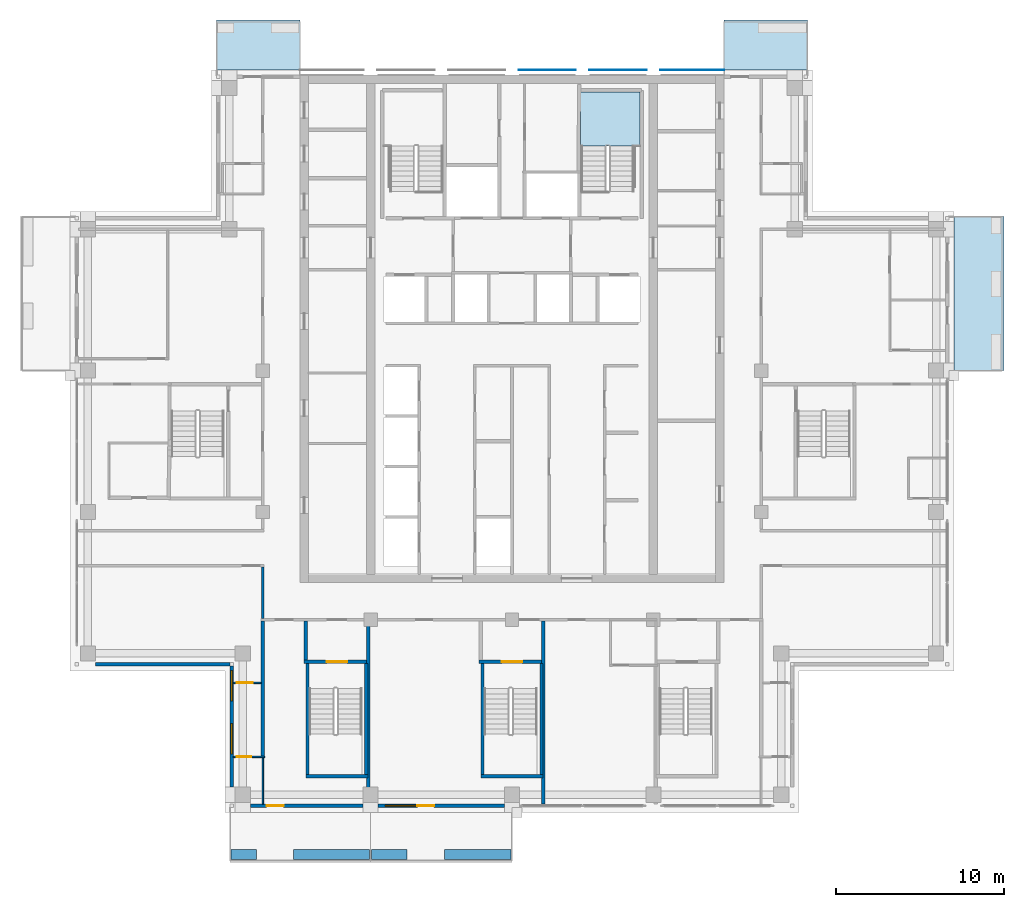
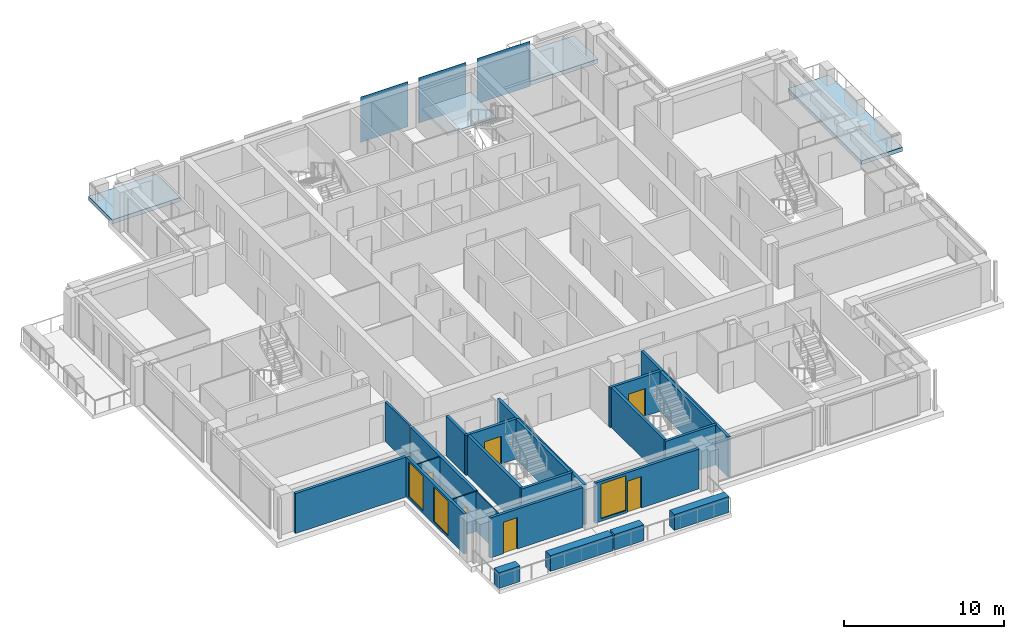
# One storey, part 6 of 15: 24 walls, 6 doors, 4 slabs, 3 plates, 3 windows, 9 openings, 1 element without a shape of its own.
"""IFC4 building model written with IfcOpenShell, lengths in metres."""

from ifc_helpers import new_model, si_unit, direction, frame, frame_2d, origin, origin_2d, place, context, subcontext, project, spatial, polyline, rectangle, outline, extrude, material, layer, layer_set, type_object, element, fill, aggregate, save


model = new_model("IFC4")

# Units and contexts
model_context = context("Model", 3, precision=1e-05, world=origin(), true_north=direction((0.0, 1.0)))
body_context = subcontext(model_context, "Body", "Model", "MODEL_VIEW")
ifc_project = project(units=[si_unit("LENGTHUNIT", "METRE"), si_unit("AREAUNIT", "SQUARE_METRE"), si_unit("VOLUMEUNIT", "CUBIC_METRE"), si_unit("PLANEANGLEUNIT", "RADIAN"), si_unit("MASSUNIT", "GRAM", prefix="KILO")], contexts=[model_context])

# Site, building, storey
site_placement = place(None, origin())
site = spatial("IfcSite", under=ifc_project, at=site_placement, CompositionType="ELEMENT")
building_placement = place(site_placement, origin())
building = spatial("IfcBuilding", under=site, at=building_placement, Name="Vermilion Ogive Tower", CompositionType="ELEMENT")
storey_placement = place(building_placement, frame((0.0, 0.0, 237.25)))
storey = spatial("IfcBuildingStorey", under=building, at=storey_placement, Name="L62", CompositionType="ELEMENT", Elevation=237.25)

# Slabs
ifc_material_1 = material(Name="Concrete B40", Category="concrete")
ifc_layer_1 = layer(ifc_material_1, 0.300048828125)
ifc_layer_set_1 = layer_set([ifc_layer_1], Name="Balcony slab")
slab_type_1 = type_object("IfcSlabType", Name="Balcony slab", PredefinedType="FLOOR", material=ifc_layer_set_1)
slab_1_placement = place(storey_placement, frame((0.0, 0.0, -0.340087890625)))
element("IfcSlab", 1, at=slab_1_placement, inside=storey, type_object=slab_type_1, Name="Balcony slab E03", PredefinedType="FLOOR", context=body_context, shape_type="SweptSolid", body=[
    extrude(outline(polyline([(29.22998046875, 4.199951171875), (29.22998046875, 13.35009765625), (26.25, 13.35009765625), (26.25, 4.199951171875), (29.22998046875, 4.199951171875)])), origin(), (0.0, 0.0, 1.0), 0.300048828125),
])
slab_2_placement = place(storey_placement, frame((0.0, 0.0, -0.340087890625)))
element("IfcSlab", 2, at=slab_2_placement, inside=storey, type_object=slab_type_1, Name="Balcony slab N101", PredefinedType="FLOOR", context=body_context, shape_type="SweptSolid", body=[
    extrude(outline(polyline([(17.550048828125, 25.030029296875), (12.60009765625, 25.030029296875), (12.60009765625, 22.050048828125), (17.550048828125, 22.050048828125), (17.550048828125, 25.030029296875)])), origin(), (0.0, 0.0, 1.0), 0.300048828125),
])
slab_3_placement = place(storey_placement, frame((0.0, 0.0, -0.340087890625)))
element("IfcSlab", 3, at=slab_3_placement, inside=storey, type_object=slab_type_1, Name="Balcony slab N201", PredefinedType="FLOOR", context=body_context, shape_type="SweptSolid", body=[
    extrude(outline(polyline([(-12.60009765625, 25.030029296875), (-17.550048828125, 25.030029296875), (-17.550048828125, 22.050048828125), (-12.60009765625, 22.050048828125), (-12.60009765625, 25.030029296875)])), origin(), (0.0, 0.0, 1.0), 0.300048828125),
])

# Plates
ifc_material_2 = material(Name="Low-iron laminated glazing in aluminium frame", Category="aluminium")
ifc_layer_2 = layer(ifc_material_2, 0.031982421875)
ifc_layer_set_2 = layer_set([ifc_layer_2], Name="Glazed rainscreen sheet 32")
plate_type = type_object("IfcPlateType", Name="Glazed rainscreen sheet 32", PredefinedType="SHEET", material=ifc_layer_set_2)
for number, where, z_axis, x_axis, name in (
    (4, (2.10009765625, 22.06591796875, -0.39990234375), (0.0, 0.0, 1.0), (1.0, 0.0, 0.0), "Glazed rainscreen sheet N4"),
    (5, (6.300048828125, 22.06591796875, -0.39990234375), (0.0, 0.0, 1.0), (1.0, 0.0, 0.0), "Glazed rainscreen sheet N5"),
):
    element("IfcPlate", number, at=place(storey_placement, frame(where, z_axis=z_axis, x_axis=x_axis)), inside=storey, type_object=plate_type, Name=name, PredefinedType="SHEET", context=body_context, shape_type="SweptSolid", body=[
        extrude(rectangle(XDim=3.39990234375, YDim=0.031982421875, at=origin_2d()), origin(), (0.0, 0.0, 1.0), 3.449951171875),
    ])
plate_placement = place(storey_placement, frame((10.7099609375, 22.06591796875, -0.39990234375), z_axis=(0.0, 0.0, 1.0), x_axis=(1.0, 0.0, 0.0)))
element("IfcPlate", 6, at=plate_placement, inside=storey, type_object=plate_type, Name="Glazed rainscreen sheet N6", PredefinedType="SHEET", context=body_context, shape_type="SweptSolid", body=[
    extrude(rectangle(XDim=3.820068359375, YDim=0.031982421875, at=origin_2d()), origin(), (0.0, 0.0, 1.0), 3.449951171875),
])

# Stair, slab
ifc_material_3 = material(Name="Concrete B40", Category="concrete")
stair_type = type_object("IfcStairType", Name="Exit stair 1500", PredefinedType="HALF_TURN_STAIR", material=ifc_material_3)
stair_placement = place(storey_placement, origin())
stair = element("IfcStair", 7, at=stair_placement, inside=storey, type_object=stair_type, Name="L62 Exit Stair ST2", PredefinedType="HALF_TURN_STAIR")
ifc_material_4 = material(Name="Concrete B40", Category="concrete")
ifc_layer_3 = layer(ifc_material_4, 0.199951171875)
ifc_layer_set_3 = layer_set([ifc_layer_3], Name="Stair landing 200")
slab_type_2 = type_object("IfcSlabType", Name="Stair landing 200", PredefinedType="LANDING", material=ifc_layer_set_3)
slab_4_placement = place(storey_placement, frame((0.0, 0.0, 1.52490234375)))
slab_4 = element("IfcSlab", 8, at=slab_4_placement, type_object=slab_type_2, Name="ST2 landing 1", PredefinedType="LANDING", context=body_context, shape_type="SweptSolid", body=[
    extrude(outline(polyline([(5.60009765625, 17.550048828125), (5.75, 17.550048828125), (5.75, 17.548095703125), (7.25, 17.548095703125), (7.25, 17.550048828125), (7.60009765625, 17.550048828125), (7.60009765625, 20.75), (4.074951171875, 20.75), (4.074951171875, 17.550048828125), (4.10009765625, 17.550048828125), (4.10009765625, 17.548095703125), (5.60009765625, 17.548095703125), (5.60009765625, 17.550048828125)])), origin(), (0.0, 0.0, 1.0), 0.2001953125),
])
aggregate(stair, [slab_4])

# Wall, opening, door
ifc_material_5 = material(Name="Gypsum board partition on steel studs", Category="steel")
ifc_layer_4 = layer(ifc_material_5, 0.10009765625)
ifc_layer_set_4 = layer_set([ifc_layer_4], Name="Partition 100 bath")
wall_type_1 = type_object("IfcWallType", Name="Partition 100 bath", PredefinedType="PARTITIONING", material=ifc_layer_set_4)
wall_1_placement = place(storey_placement, frame((-16.550048828125, -18.75, 0.0), z_axis=(0.0, 0.0, 1.0), x_axis=(1.0, 0.0, 0.0)))
wall_1 = element("IfcWall", 9, at=wall_1_placement, inside=storey, type_object=wall_type_1, Name="L62-W-W004", PredefinedType="PARTITIONING", context=body_context, shape_type="SweptSolid", body=[
    extrude(rectangle(XDim=1.85009765625, YDim=0.10009765625, at=frame_2d((0.925048828125, 0.0))), origin(), (0.0, 0.0, 1.0), 3.050048828125),
])
opening_1_placement = place(wall_1_placement, frame((0.199951171875, 0.0, 0.0)))
opening_1 = element("IfcOpeningElement", 10, at=opening_1_placement, cuts=wall_1, Name="Opening D5G2003", PredefinedType="OPENING", context=body_context, shape_type="SweptSolid", body=[
    extrude(rectangle(XDim=0.85009765625, YDim=2.10009765625, at=frame_2d((0.425048828125, 1.050048828125))), frame((0.0, 0.06005859375, 0.0), z_axis=(0.0, -1.0, 0.0), x_axis=(1.0, 0.0, 0.0)), (0.0, 0.0, 1.0), 0.1201171875),
])
ifc_material_6 = material(Name="Timber door leaf", Category="wood")
door_type_1 = type_object("IfcDoorType", Name="Bath door 850 x 2100 FD30", OperationType="SINGLE_SWING_LEFT", PredefinedType="DOOR", material=ifc_material_6)
door_1_placement = place(opening_1_placement, origin())
door_1 = element("IfcDoor", 11, at=door_1_placement, inside=storey, type_object=door_type_1, Name="L62-D-D003", OperationType="SINGLE_SWING_RIGHT", OverallHeight=2.10009765625, OverallWidth=0.85009765625, PredefinedType="DOOR", context=body_context, shape_type="SweptSolid", body=[
    extrude(rectangle(XDim=0.85009765625, YDim=2.10009765625, at=frame_2d((0.425048828125, 1.050048828125))), frame((0.0, 0.02490234375, 0.0), z_axis=(0.0, -1.0, 0.0), x_axis=(1.0, 0.0, 0.0)), (0.0, 0.0, 1.0), 0.050048828125),
])
fill(opening_1, door_1)

# Wall
wall_2_placement = place(storey_placement, frame((-14.800048828125, -21.550048828125, 0.0), z_axis=(0.0, 0.0, 1.0), x_axis=(0.0, 1.0, 0.0)))
element("IfcWall", 12, at=wall_2_placement, inside=storey, type_object=wall_type_1, Name="L62-W-W046", PredefinedType="PARTITIONING", context=body_context, shape_type="SweptSolid", body=[
    extrude(rectangle(XDim=2.75, YDim=0.10009765625, at=frame_2d((1.375, 0.0))), origin(), (0.0, 0.0, 1.0), 3.050048828125),
])

# Wall, opening, door
ifc_material_7 = material(Name="Gypsum board partition on steel studs", Category="steel")
ifc_layer_5 = layer(ifc_material_7, 0.10009765625)
ifc_layer_set_5 = layer_set([ifc_layer_5], Name="Partition 100 inner")
wall_type_2 = type_object("IfcWallType", Name="Partition 100 inner", PredefinedType="PARTITIONING", material=ifc_layer_set_5)
wall_3_placement = place(storey_placement, frame((-16.550048828125, -14.349853515625, 0.0), z_axis=(0.0, 0.0, 1.0), x_axis=(1.0, 0.0, 0.0)))
wall_3 = element("IfcWall", 13, at=wall_3_placement, inside=storey, type_object=wall_type_2, Name="L62-W-W006", PredefinedType="PARTITIONING", context=body_context, shape_type="SweptSolid", body=[
    extrude(rectangle(XDim=1.650146484375, YDim=0.10009765625, at=frame_2d((0.8251953125, 0.0))), origin(), (0.0, 0.0, 1.0), 3.050048828125),
])
opening_2_placement = place(wall_3_placement, frame((0.199951171875, 0.0, 0.0)))
opening_2 = element("IfcOpeningElement", 14, at=opening_2_placement, cuts=wall_3, Name="Opening D5G2002", PredefinedType="OPENING", context=body_context, shape_type="SweptSolid", body=[
    extrude(rectangle(XDim=0.949951171875, YDim=2.10009765625, at=frame_2d((0.47509765625, 1.050048828125))), frame((0.0, 0.06005859375, 0.0), z_axis=(0.0, -1.0, 0.0), x_axis=(1.0, 0.0, 0.0)), (0.0, 0.0, 1.0), 0.1201171875),
])
ifc_material_8 = material(Name="Timber door leaf", Category="wood")
door_type_2 = type_object("IfcDoorType", Name="Inner door 950 x 2100 FD30", OperationType="SINGLE_SWING_LEFT", PredefinedType="DOOR", material=ifc_material_8)
door_2_placement = place(opening_2_placement, origin())
door_2 = element("IfcDoor", 15, at=door_2_placement, inside=storey, type_object=door_type_2, Name="L62-D-D002", OperationType="SINGLE_SWING_RIGHT", OverallHeight=2.10009765625, OverallWidth=0.949951171875, PredefinedType="DOOR", context=body_context, shape_type="SweptSolid", body=[
    extrude(rectangle(XDim=0.949951171875, YDim=2.10009765625, at=frame_2d((0.47509765625, 1.050048828125))), frame((0.0, 0.02490234375, 0.0), z_axis=(0.0, -1.0, 0.0), x_axis=(1.0, 0.0, 0.0)), (0.0, 0.0, 1.0), 0.050048828125),
])
fill(opening_2, door_2)

# Walls
ifc_material_9 = material(Name="Gypsum board partition on steel studs", Category="steel")
ifc_layer_6 = layer(ifc_material_9, 0.14990234375)
ifc_layer_set_6 = layer_set([ifc_layer_6], Name="Partition 150 corridor")
wall_type_3 = type_object("IfcWallType", Name="Partition 150 corridor", PredefinedType="PARTITIONING", material=ifc_layer_set_6)
wall_4_placement = place(storey_placement, frame((-14.800048828125, -10.52490234375, 0.0), z_axis=(0.0, 0.0, 1.0), x_axis=(0.0, 1.0, 0.0)))
element("IfcWall", 16, at=wall_4_placement, inside=storey, type_object=wall_type_3, Name="L62-W-W048", PredefinedType="PARTITIONING", context=body_context, shape_type="SweptSolid", body=[
    extrude(rectangle(XDim=3.0498046875, YDim=0.14990234375, at=frame_2d((1.52490234375, 0.0))), origin(), (0.0, 0.0, 1.0), 3.050048828125),
])
ifc_material_10 = material(Name="Gypsum board partition on steel studs", Category="steel")
ifc_layer_7 = layer(ifc_material_10, 0.199951171875)
ifc_layer_set_7 = layer_set([ifc_layer_7], Name="Partition 200 party")
wall_type_4 = type_object("IfcWallType", Name="Partition 200 party", PredefinedType="PARTITIONING", material=ifc_layer_set_7)
wall_5_placement = place(storey_placement, frame((-14.800048828125, -18.699951171875, 0.0), z_axis=(0.0, 0.0, 1.0), x_axis=(0.0, 1.0, 0.0)))
element("IfcWall", 17, at=wall_5_placement, inside=storey, type_object=wall_type_4, Name="L62-W-W047", PredefinedType="PARTITIONING", context=body_context, shape_type="SweptSolid", body=[
    extrude(rectangle(XDim=8.02490234375, YDim=0.199951171875, at=frame_2d((4.012451171875, 0.0))), origin(), (0.0, 0.0, 1.0), 3.050048828125),
])
wall_6_placement = place(storey_placement, frame((-12.25, -12.998046875, 0.0), z_axis=(0.0, 0.0, 1.0), x_axis=(0.0, 1.0, 0.0)))
element("IfcWall", 18, at=wall_6_placement, inside=storey, type_object=wall_type_4, Name="L62-W-W052", PredefinedType="PARTITIONING", context=body_context, shape_type="SweptSolid", body=[
    extrude(rectangle(XDim=2.322998046875, YDim=0.199951171875, at=frame_2d((1.16162109375, 0.0))), origin(), (0.0, 0.0, 1.0), 3.050048828125),
])
ifc_material_11 = material(Name="Concrete B60", Category="concrete")
ifc_layer_8 = layer(ifc_material_11, 0.199951171875)
ifc_layer_set_8 = layer_set([ifc_layer_8], Name="Stair shaft wall 200 Concrete B60")
wall_type_5 = type_object("IfcWallType", Name="Stair shaft wall 200 Concrete B60", PredefinedType="SOLIDWALL", material=ifc_layer_set_8)
wall_7_placement = place(storey_placement, frame((-12.248046875, -19.89990234375, 0.0), z_axis=(0.0, 0.0, 1.0), x_axis=(1.0, 0.0, 0.0)))
element("IfcWall", 19, at=wall_7_placement, inside=storey, type_object=wall_type_5, Name="L62-W-W001", PredefinedType="SOLIDWALL", context=body_context, shape_type="SweptSolid", body=[
    extrude(rectangle(XDim=3.696044921875, YDim=0.199951171875, at=frame_2d((1.84814453125, 0.0))), origin(), (0.0, 0.0, 1.0), 3.050048828125),
])
wall_8_placement = place(storey_placement, frame((-1.847900390625, -19.89990234375, 0.0), z_axis=(0.0, 0.0, 1.0), x_axis=(1.0, 0.0, 0.0)))
element("IfcWall", 20, at=wall_8_placement, inside=storey, type_object=wall_type_5, Name="L62-W-W002", PredefinedType="SOLIDWALL", context=body_context, shape_type="SweptSolid", body=[
    extrude(rectangle(XDim=3.69580078125, YDim=0.199951171875, at=frame_2d((1.847900390625, 0.0))), origin(), (0.0, 0.0, 1.0), 3.050048828125),
])

# Wall, opening, door
wall_9_placement = place(storey_placement, frame((-12.347900390625, -13.10009765625, 0.0), z_axis=(0.0, 0.0, 1.0), x_axis=(1.0, 0.0, 0.0)))
wall_9 = element("IfcWall", 21, at=wall_9_placement, inside=storey, type_object=wall_type_5, Name="L62-W-W009", PredefinedType="SOLIDWALL", context=body_context, shape_type="SweptSolid", body=[
    extrude(rectangle(XDim=3.69580078125, YDim=0.199951171875, at=frame_2d((1.847900390625, 0.0))), origin(), (0.0, 0.0, 1.0), 3.050048828125),
])
opening_3_placement = place(wall_9_placement, frame((1.347900390625, 0.0, 0.0)))
opening_3 = element("IfcOpeningElement", 22, at=opening_3_placement, cuts=wall_9, Name="Opening D5G2024", PredefinedType="OPENING", context=body_context, shape_type="SweptSolid", body=[
    extrude(rectangle(XDim=1.199951171875, YDim=2.10009765625, at=frame_2d((0.60009765625, 1.050048828125))), frame((0.0, 0.10986328125, 0.0), z_axis=(0.0, -1.0, 0.0), x_axis=(1.0, 0.0, 0.0)), (0.0, 0.0, 1.0), 0.219970703125),
])
ifc_material_12 = material(Name="Timber door leaf", Category="wood")
door_type_3 = type_object("IfcDoorType", Name="Stair door 1200 x 2100 FD60S", OperationType="SINGLE_SWING_LEFT", PredefinedType="DOOR", material=ifc_material_12)
door_3_placement = place(opening_3_placement, origin())
door_3 = element("IfcDoor", 23, at=door_3_placement, inside=storey, type_object=door_type_3, Name="L62-D-D024", OperationType="SINGLE_SWING_RIGHT", OverallHeight=2.10009765625, OverallWidth=1.199951171875, PredefinedType="DOOR", context=body_context, shape_type="SweptSolid", body=[
    extrude(rectangle(XDim=1.199951171875, YDim=2.10009765625, at=frame_2d((0.60009765625, 1.050048828125))), frame((0.0, 0.02490234375, 0.0), z_axis=(0.0, -1.0, 0.0), x_axis=(1.0, 0.0, 0.0)), (0.0, 0.0, 1.0), 0.050048828125),
])
fill(opening_3, door_3)

wall_10_placement = place(storey_placement, frame((-1.947998046875, -13.10009765625, 0.0), z_axis=(0.0, 0.0, 1.0), x_axis=(1.0, 0.0, 0.0)))
wall_10 = element("IfcWall", 24, at=wall_10_placement, inside=storey, type_object=wall_type_5, Name="L62-W-W010", PredefinedType="SOLIDWALL", context=body_context, shape_type="SweptSolid", body=[
    extrude(rectangle(XDim=3.696044921875, YDim=0.199951171875, at=frame_2d((1.84814453125, 0.0))), origin(), (0.0, 0.0, 1.0), 3.050048828125),
])
opening_4_placement = place(wall_10_placement, frame((1.347900390625, 0.0, 0.0)))
opening_4 = element("IfcOpeningElement", 25, at=opening_4_placement, cuts=wall_10, Name="Opening D5G2026", PredefinedType="OPENING", context=body_context, shape_type="SweptSolid", body=[
    extrude(rectangle(XDim=1.199951171875, YDim=2.10009765625, at=frame_2d((0.60009765625, 1.050048828125))), frame((0.0, 0.10986328125, 0.0), z_axis=(0.0, -1.0, 0.0), x_axis=(1.0, 0.0, 0.0)), (0.0, 0.0, 1.0), 0.219970703125),
])
door_4_placement = place(opening_4_placement, origin())
door_4 = element("IfcDoor", 26, at=door_4_placement, inside=storey, type_object=door_type_3, Name="L62-D-D026", OperationType="SINGLE_SWING_RIGHT", OverallHeight=2.10009765625, OverallWidth=1.199951171875, PredefinedType="DOOR", context=body_context, shape_type="SweptSolid", body=[
    extrude(rectangle(XDim=1.199951171875, YDim=2.10009765625, at=frame_2d((0.60009765625, 1.050048828125))), frame((0.0, 0.02490234375, 0.0), z_axis=(0.0, -1.0, 0.0), x_axis=(1.0, 0.0, 0.0)), (0.0, 0.0, 1.0), 0.050048828125),
])
fill(opening_4, door_4)

# Walls
for number, where, z_axis, x_axis, name in (
    (27, (-12.14990234375, -19.798095703125, 0.0), (0.0, 0.0, 1.0), (0.0, 1.0, 0.0), "L62-W-W053"),
    (28, (-8.64990234375, -19.798095703125, 0.0), (0.0, 0.0, 1.0), (0.0, 1.0, 0.0), "L62-W-W054"),
    (29, (-1.75, -19.798095703125, 0.0), (0.0, 0.0, 1.0), (0.0, 1.0, 0.0), "L62-W-W057"),
    (30, (1.75, -19.798095703125, 0.0), (0.0, 0.0, 1.0), (0.0, 1.0, 0.0), "L62-W-W058"),
):
    element("IfcWall", number, at=place(storey_placement, frame(where, z_axis=z_axis, x_axis=x_axis)), inside=storey, type_object=wall_type_5, Name=name, PredefinedType="SOLIDWALL", context=body_context, shape_type="SweptSolid", body=[
        extrude(rectangle(XDim=6.59619140625, YDim=0.199951171875, at=frame_2d((3.298095703125, 0.0))), origin(), (0.0, 0.0, 1.0), 3.050048828125),
    ])
for number, where, z_axis, x_axis, name in (
    (31, (1.85009765625, -21.550048828125, 0.0), (0.0, 0.0, 1.0), (0.0, 1.0, 0.0), "L62-W-W059-A"),
    (32, (-8.550048828125, -21.550048828125, 0.0), (0.0, 0.0, 1.0), (0.0, 1.0, 0.0), "L62-W-W055-A"),
):
    element("IfcWall", number, at=place(storey_placement, frame(where, z_axis=z_axis, x_axis=x_axis)), inside=storey, type_object=wall_type_5, Name=name, PredefinedType="SOLIDWALL", context=body_context, shape_type="SweptSolid", body=[
        extrude(rectangle(XDim=10.875, YDim=0.199951171875, at=frame_2d((5.4375, 0.0))), origin(), (0.0, 0.0, 1.0), 3.050048828125),
    ])
ifc_material_13 = material(Name="Concrete B40", Category="concrete")
ifc_layer_9 = layer(ifc_material_13, 0.60009765625)
ifc_layer_set_9 = layer_set([ifc_layer_9], Name="Structural planter")
wall_type_6 = type_object("IfcWallType", Name="Structural planter", PredefinedType="USERDEFINED", material=ifc_layer_set_9)
wall_11_placement = place(storey_placement, frame((-16.68994140625, -24.550048828125, -0.0400390625), z_axis=(0.0, 0.0, 1.0), x_axis=(1.0, 0.0, 0.0)))
element("IfcWall", 33, at=wall_11_placement, inside=storey, type_object=wall_type_6, Name="Planter S01A1", ObjectType="PLANTER", PredefinedType="USERDEFINED", context=body_context, shape_type="SweptSolid", body=[
    extrude(rectangle(XDim=1.514892578125, YDim=0.60009765625, at=frame_2d((0.75732421875, 0.0))), origin(), (0.0, 0.0, 1.0), 1.199951171875),
])
wall_12_placement = place(storey_placement, frame((-12.97509765625, -24.550048828125, -0.0400390625), z_axis=(0.0, 0.0, 1.0), x_axis=(1.0, 0.0, 0.0)))
element("IfcWall", 34, at=wall_12_placement, inside=storey, type_object=wall_type_6, Name="Planter S01A2", ObjectType="PLANTER", PredefinedType="USERDEFINED", context=body_context, shape_type="SweptSolid", body=[
    extrude(rectangle(XDim=4.51513671875, YDim=0.60009765625, at=frame_2d((2.257568359375, 0.0))), origin(), (0.0, 0.0, 1.0), 1.199951171875),
])
wall_13_placement = place(storey_placement, frame((-8.340087890625, -24.550048828125, -0.0400390625), z_axis=(0.0, 0.0, 1.0), x_axis=(1.0, 0.0, 0.0)))
element("IfcWall", 35, at=wall_13_placement, inside=storey, type_object=wall_type_6, Name="Planter S02A1", ObjectType="PLANTER", PredefinedType="USERDEFINED", context=body_context, shape_type="SweptSolid", body=[
    extrude(rectangle(XDim=2.114990234375, YDim=0.60009765625, at=frame_2d((1.0576171875, 0.0))), origin(), (0.0, 0.0, 1.0), 1.199951171875),
])
wall_14_placement = place(storey_placement, frame((-4.02490234375, -24.550048828125, -0.0400390625), z_axis=(0.0, 0.0, 1.0), x_axis=(1.0, 0.0, 0.0)))
element("IfcWall", 36, at=wall_14_placement, inside=storey, type_object=wall_type_6, Name="Planter S02A2", ObjectType="PLANTER", PredefinedType="USERDEFINED", context=body_context, shape_type="SweptSolid", body=[
    extrude(rectangle(XDim=3.96484375, YDim=0.60009765625, at=frame_2d((1.982421875, 0.0))), origin(), (0.0, 0.0, 1.0), 1.199951171875),
])

# Wall, opening, door
ifc_material_14 = material(Name="Aluminium window wall framing", Category="aluminium")
ifc_layer_10 = layer(ifc_material_14, 0.199951171875)
ifc_layer_set_10 = layer_set([ifc_layer_10], Name="Window wall")
wall_type_7 = type_object("IfcWallType", Name="Window wall", PredefinedType="STANDARD", material=ifc_layer_set_10)
wall_15_placement = place(storey_placement, frame((-15.550048828125, -21.64990234375, 0.0), z_axis=(0.0, 0.0, 1.0), x_axis=(1.0, 0.0, 0.0)))
wall_15 = element("IfcWall", 37, at=wall_15_placement, inside=storey, type_object=wall_type_7, Name="Window wall S1", PredefinedType="STANDARD", context=body_context, shape_type="SweptSolid", body=[
    extrude(rectangle(XDim=6.699951171875, YDim=0.199951171875, at=frame_2d((3.35009765625, 0.0))), origin(), (0.0, 0.0, 1.0), 3.050048828125),
])
opening_5_placement = place(wall_15_placement, frame((0.97509765625, 0.0, 0.0)))
opening_5 = element("IfcOpeningElement", 38, at=opening_5_placement, cuts=wall_15, Name="Opening D1-S96K", PredefinedType="OPENING", context=body_context, shape_type="SweptSolid", body=[
    extrude(rectangle(XDim=1.0, YDim=2.39990234375, at=frame_2d((0.5, 1.199951171875))), frame((0.0, 0.10986328125, 0.0), z_axis=(0.0, -1.0, 0.0), x_axis=(1.0, 0.0, 0.0)), (0.0, 0.0, 1.0), 0.219970703125),
])
ifc_material_15 = material(Name="Aluminium framed glazed door", Category="aluminium")
door_type_4 = type_object("IfcDoorType", Name="Balcony door D1", OperationType="SINGLE_SWING_LEFT", PredefinedType="DOOR", material=ifc_material_15)
door_5_placement = place(opening_5_placement, origin())
door_5 = element("IfcDoor", 39, at=door_5_placement, inside=storey, type_object=door_type_4, Name="Balcony door S96K", OperationType="SINGLE_SWING_LEFT", OverallHeight=2.39990234375, OverallWidth=1.0, PredefinedType="DOOR", context=body_context, shape_type="SweptSolid", body=[
    extrude(rectangle(XDim=1.0, YDim=2.39990234375, at=frame_2d((0.5, 1.199951171875))), frame((0.0, 0.02490234375, 0.0), z_axis=(0.0, -1.0, 0.0), x_axis=(1.0, 0.0, 0.0)), (0.0, 0.0, 1.0), 0.050048828125),
])
fill(opening_5, door_5)

# Wall, openings, door, window
wall_16_placement = place(storey_placement, frame((-7.949951171875, -21.64990234375, 0.0), z_axis=(0.0, 0.0, 1.0), x_axis=(1.0, 0.0, 0.0)))
wall_16 = element("IfcWall", 40, at=wall_16_placement, inside=storey, type_object=wall_type_7, Name="Window wall S2", PredefinedType="STANDARD", context=body_context, shape_type="SweptSolid", body=[
    extrude(rectangle(XDim=7.5, YDim=0.199951171875, at=frame_2d((3.75, 0.0))), origin(), (0.0, 0.0, 1.0), 3.050048828125),
])
opening_6_placement = place(wall_16_placement, frame((0.425048828125, 0.0, 0.199951171875)))
opening_6 = element("IfcOpeningElement", 41, at=opening_6_placement, cuts=wall_16, Name="Opening W1-S98", PredefinedType="OPENING", context=body_context, shape_type="SweptSolid", body=[
    extrude(rectangle(XDim=1.800048828125, YDim=2.64990234375, at=frame_2d((0.89990234375, 1.324951171875))), frame((0.0, 0.10986328125, 0.0), z_axis=(0.0, -1.0, 0.0), x_axis=(1.0, 0.0, 0.0)), (0.0, 0.0, 1.0), 0.219970703125),
])
opening_7_placement = place(wall_16_placement, frame((2.324951171875, 0.0, 0.0)))
opening_7 = element("IfcOpeningElement", 42, at=opening_7_placement, cuts=wall_16, Name="Opening D1-S98", PredefinedType="OPENING", context=body_context, shape_type="SweptSolid", body=[
    extrude(rectangle(XDim=1.0, YDim=2.39990234375, at=frame_2d((0.5, 1.199951171875))), frame((0.0, 0.10986328125, 0.0), z_axis=(0.0, -1.0, 0.0), x_axis=(1.0, 0.0, 0.0)), (0.0, 0.0, 1.0), 0.219970703125),
])
door_6_placement = place(opening_7_placement, origin())
door_6 = element("IfcDoor", 43, at=door_6_placement, inside=storey, type_object=door_type_4, Name="Balcony door S98", OperationType="SINGLE_SWING_LEFT", OverallHeight=2.39990234375, OverallWidth=1.0, PredefinedType="DOOR", context=body_context, shape_type="SweptSolid", body=[
    extrude(rectangle(XDim=1.0, YDim=2.39990234375, at=frame_2d((0.5, 1.199951171875))), frame((0.0, 0.02490234375, 0.0), z_axis=(0.0, -1.0, 0.0), x_axis=(1.0, 0.0, 0.0)), (0.0, 0.0, 1.0), 0.050048828125),
])
fill(opening_7, door_6)
ifc_material_16 = material(Name="Aluminium framed double glazing", Category="aluminium")
window_type = type_object("IfcWindowType", Name="Guest window W1", PartitioningType="SINGLE_PANEL", PredefinedType="WINDOW", material=ifc_material_16)
window_1_placement = place(opening_6_placement, origin())
window_1 = element("IfcWindow", 44, at=window_1_placement, inside=storey, type_object=window_type, Name="Window S98", OverallHeight=2.64990234375, OverallWidth=1.800048828125, PartitioningType="SINGLE_PANEL", PredefinedType="WINDOW", context=body_context, shape_type="SweptSolid", body=[
    extrude(rectangle(XDim=1.800048828125, YDim=2.64990234375, at=frame_2d((0.89990234375, 1.324951171875))), frame((0.0, 0.030029296875, 0.0), z_axis=(0.0, -1.0, 0.0), x_axis=(1.0, 0.0, 0.0)), (0.0, 0.0, 1.0), 0.06005859375),
])
fill(opening_6, window_1)

# Wall
wall_17_placement = place(storey_placement, frame((-24.75, -13.25, 0.0), z_axis=(0.0, 0.0, 1.0), x_axis=(1.0, 0.0, 0.0)))
element("IfcWall", 45, at=wall_17_placement, inside=storey, type_object=wall_type_7, Name="Window wall X71", PredefinedType="STANDARD", context=body_context, shape_type="SweptSolid", body=[
    extrude(rectangle(XDim=8.0, YDim=0.199951171875, at=frame_2d((4.0, 0.0))), origin(), (0.0, 0.0, 1.0), 3.050048828125),
])

# Wall, openings, windows
wall_18_placement = place(storey_placement, frame((-16.64990234375, -13.35009765625, 0.0), z_axis=(0.0, 0.0, 1.0), x_axis=(0.0, -1.0, 0.0)))
wall_18 = element("IfcWall", 46, at=wall_18_placement, inside=storey, type_object=wall_type_7, Name="Window wall X81", PredefinedType="STANDARD", context=body_context, shape_type="SweptSolid", body=[
    extrude(rectangle(XDim=7.199951171875, YDim=0.199951171875, at=frame_2d((3.60009765625, 0.0))), origin(), (0.0, 0.0, 1.0), 3.050048828125),
])
opening_8_placement = place(wall_18_placement, frame((3.419921875, 0.0, 0.199951171875)))
opening_8 = element("IfcOpeningElement", 47, at=opening_8_placement, cuts=wall_18, Name="Opening W1-X895", PredefinedType="OPENING", context=body_context, shape_type="SweptSolid", body=[
    extrude(rectangle(XDim=1.800048828125, YDim=2.64990234375, at=frame_2d((0.89990234375, 1.324951171875))), frame((0.0, 0.10986328125, 0.0), z_axis=(0.0, -1.0, 0.0), x_axis=(1.0, 0.0, 0.0)), (0.0, 0.0, 1.0), 0.219970703125),
])
opening_9_placement = place(wall_18_placement, frame((0.27490234375, 0.0, 0.199951171875)))
opening_9 = element("IfcOpeningElement", 48, at=opening_9_placement, cuts=wall_18, Name="Opening W1-X896", PredefinedType="OPENING", context=body_context, shape_type="SweptSolid", body=[
    extrude(rectangle(XDim=1.800048828125, YDim=2.64990234375, at=frame_2d((0.89990234375, 1.324951171875))), frame((0.0, 0.10986328125, 0.0), z_axis=(0.0, -1.0, 0.0), x_axis=(1.0, 0.0, 0.0)), (0.0, 0.0, 1.0), 0.219970703125),
])
window_2_placement = place(opening_8_placement, origin())
window_2 = element("IfcWindow", 49, at=window_2_placement, inside=storey, type_object=window_type, Name="Window X895", OverallHeight=2.64990234375, OverallWidth=1.800048828125, PartitioningType="SINGLE_PANEL", PredefinedType="WINDOW", context=body_context, shape_type="SweptSolid", body=[
    extrude(rectangle(XDim=1.800048828125, YDim=2.64990234375, at=frame_2d((0.89990234375, 1.324951171875))), frame((0.0, 0.030029296875, 0.0), z_axis=(0.0, -1.0, 0.0), x_axis=(1.0, 0.0, 0.0)), (0.0, 0.0, 1.0), 0.06005859375),
])
fill(opening_8, window_2)
window_3_placement = place(opening_9_placement, origin())
window_3 = element("IfcWindow", 50, at=window_3_placement, inside=storey, type_object=window_type, Name="Window X896", OverallHeight=2.64990234375, OverallWidth=1.800048828125, PartitioningType="SINGLE_PANEL", PredefinedType="WINDOW", context=body_context, shape_type="SweptSolid", body=[
    extrude(rectangle(XDim=1.800048828125, YDim=2.64990234375, at=frame_2d((0.89990234375, 1.324951171875))), frame((0.0, 0.030029296875, 0.0), z_axis=(0.0, -1.0, 0.0), x_axis=(1.0, 0.0, 0.0)), (0.0, 0.0, 1.0), 0.06005859375),
])
fill(opening_9, window_3)

save(model, "model.ifc")
